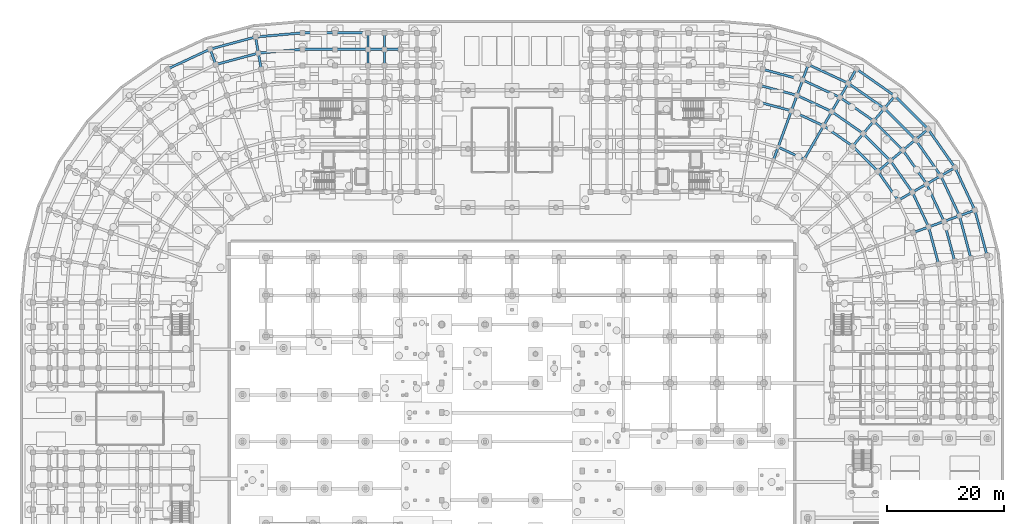
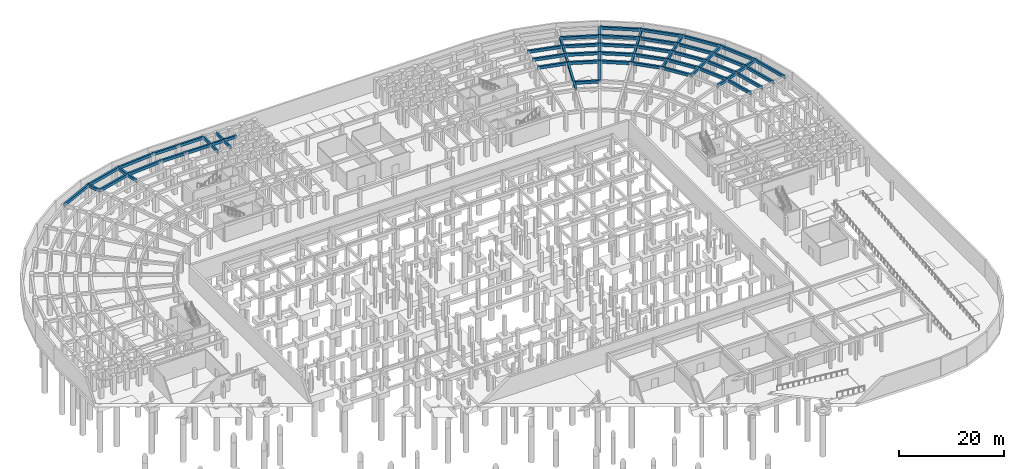
# One storey, part 28 of 53: 75 beams.
"""IFC4 building model written with IfcOpenShell, lengths in metres."""

import ifcopenshell
import ifcopenshell.guid

model = None  # the IFC model being written
_history = None  # IfcOwnerHistory: only IFC2X3 demands one
_inside = {}  # id of a spatial element -> (the spatial element, [elements in it])
_under = {}  # id of a project, library or spatial element -> (it, [spatial elements below it])
_declared = {}  # id of a project -> (the project, [libraries it declares])
_typed = {}  # id of a type object -> (the type object, [elements of that type])
_made_of = {}  # id of a material, layer set ... -> (it, [elements and type objects made of it])


def new_model(schema):
    """Start an empty IFC model of exactly this schema.

    Asked for "IFC4X3", IfcOpenShell would pick the latest addendum, in which some entities
    have other attributes; the version numbers below select the first issue.
    IFC2X3 requires an IfcOwnerHistory on every rooted entity: one is made here for all.
    """
    global model, _history
    if schema == "IFC4X3":
        model = ifcopenshell.file(schema_version=(4, 3, 0, 0))
    else:
        model = ifcopenshell.file(schema=schema)
    _inside.clear()
    _under.clear()
    _declared.clear()
    _typed.clear()
    _made_of.clear()
    _history = None
    if model.schema == "IFC2X3":
        org = make("IfcOrganization", Name="unknown")
        user = make(
            "IfcPersonAndOrganization",
            ThePerson=make("IfcPerson", FamilyName="unknown"),
            TheOrganization=org,
        )
        app = make(
            "IfcApplication",
            ApplicationDeveloper=org,
            Version="unknown",
            ApplicationFullName="unknown",
            ApplicationIdentifier="unknown",
        )
        _history = make(
            "IfcOwnerHistory",
            OwningUser=user,
            OwningApplication=app,
            ChangeAction="ADDED",
            CreationDate=0,
        )
    return model


def make(cls, **values):
    """One entity of the class cls with the attributes given. An attribute that is None is left unset."""
    return model.create_entity(
        cls, **{name: value for name, value in values.items() if value is not None}
    )


def rooted(cls, **values):
    """An entity with a GlobalId (a new one), such as an element, a storey or a relation."""
    return make(cls, GlobalId=ifcopenshell.guid.new(), OwnerHistory=_history, **values)


def si_unit(unit_type, name, prefix=None):
    """IfcSIUnit, for example si_unit("LENGTHUNIT", "METRE", prefix="MILLI")."""
    return make("IfcSIUnit", UnitType=unit_type, Prefix=prefix, Name=name)


def assignment(units):
    """IfcUnitAssignment: the units of a project."""
    return None if units is None else make("IfcUnitAssignment", Units=units)


def point(xyz):
    """IfcCartesianPoint."""
    return None if xyz is None else make("IfcCartesianPoint", Coordinates=xyz)


def direction(xyz):
    """IfcDirection."""
    return None if xyz is None else make("IfcDirection", DirectionRatios=xyz)


def frame(location, z_axis=None, x_axis=None):
    """IfcAxis2Placement3D, a coordinate frame: its origin and axes. An axis left out is left unset."""
    return make(
        "IfcAxis2Placement3D",
        Location=point(location),
        Axis=direction(z_axis),
        RefDirection=direction(x_axis),
    )


def frame_2d(location, x_axis=None):
    """IfcAxis2Placement2D, a coordinate frame in the plane: its origin and x axis."""
    return make(
        "IfcAxis2Placement2D", Location=point(location), RefDirection=direction(x_axis)
    )


def origin():
    """The frame at (0, 0, 0) with its axes left unset."""
    return frame((0.0, 0.0, 0.0))


def origin_2d():
    """The frame at (0, 0) in the plane with its x axis left unset."""
    return frame_2d((0.0, 0.0))


def place(relative_to, where):
    """IfcLocalPlacement: puts the frame where relative to a parent placement (None: the world)."""
    return make(
        "IfcLocalPlacement", PlacementRelTo=relative_to, RelativePlacement=where
    )


def context(
    kind, dimensions, precision=None, world=None, true_north=None, identifier=None
):
    """IfcGeometricRepresentationContext, for example the 3D "Model" context."""
    return make(
        "IfcGeometricRepresentationContext",
        ContextIdentifier=identifier,
        ContextType=kind,
        CoordinateSpaceDimension=dimensions,
        Precision=precision,
        WorldCoordinateSystem=world,
        TrueNorth=true_north,
    )


def subcontext(parent, identifier, kind, view, scale=None):
    """IfcGeometricRepresentationSubContext, for example "Body" below "Model"."""
    return make(
        "IfcGeometricRepresentationSubContext",
        ContextIdentifier=identifier,
        ContextType=kind,
        ParentContext=parent,
        TargetScale=scale,
        TargetView=view,
    )


def project(units=None, contexts=None):
    """IfcProject with its units and contexts."""
    return rooted(
        "IfcProject",
        Name="project",
        RepresentationContexts=contexts,
        UnitsInContext=assignment(units),
    )


def spatial(cls, under=None, at=None, **own):
    """A site, building, storey or space (cls), placed at a placement, below another one or the project."""
    s = rooted(cls, ObjectPlacement=at, **own)
    if under is not None:
        _under.setdefault(under.id(), (under, []))[1].append(s)
    return s


def profile(cls, at=None, kind="AREA", **sizes):
    """A parametric profile (cls). Its sizes go by their IFC names, for example OverallWidth=200.0."""
    return make(cls, ProfileType=kind, Position=at, **sizes)


def rectangle(**sizes):
    """IfcRectangleProfileDef."""
    return profile("IfcRectangleProfileDef", **sizes)


def extrude(swept, where, along, depth):
    """IfcExtrudedAreaSolid: the profile swept, set in the frame where, extruded along a direction by depth."""
    return make(
        "IfcExtrudedAreaSolid",
        SweptArea=swept,
        Position=where,
        ExtrudedDirection=direction(along),
        Depth=depth,
    )


def shape(context_of_items, identifier, shape_type, items):
    """IfcShapeRepresentation: the items that make up one representation, for example the "Body"."""
    return make(
        "IfcShapeRepresentation",
        ContextOfItems=context_of_items,
        RepresentationIdentifier=identifier,
        RepresentationType=shape_type,
        Items=items,
    )


def material(Name=None, Category=None):
    """IfcMaterial."""
    return make("IfcMaterial", Name=Name, Category=Category)


def material_profile(
    of_material, cross_section, Name=None, Category=None, Priority=None
):
    """IfcMaterialProfile: a cross section and its material."""
    return make(
        "IfcMaterialProfile",
        Name=Name,
        Material=of_material,
        Profile=cross_section,
        Priority=Priority,
        Category=Category,
    )


def profile_set(profiles, Name=None, composite=None):
    """IfcMaterialProfileSet."""
    return make(
        "IfcMaterialProfileSet",
        Name=Name,
        MaterialProfiles=profiles,
        CompositeProfile=composite,
    )


def made_of(thing, what):
    """Note that an element or type object is made of a material, layer set ...; save() writes the relation."""
    if what is not None:
        _made_of.setdefault(what.id(), (what, []))[1].append(thing)
    return thing


def type_object(cls, material=None, **own):
    """A type object (cls), such as IfcWallType, which elements share."""
    return made_of(rooted(cls, **own), material)


def element(
    cls,
    number,
    at=None,
    inside=None,
    cuts=None,
    type_object=None,
    material=None,
    context=None,
    identifier="Body",
    shape_type=None,
    held_by="IfcProductDefinitionShape",
    body=None,
    shapes=None,
    **own,
):
    """One element of the class cls, such as IfcWall. Its Tag is "e" and its number.

    at: its placement. inside: the storey or other place that contains it. cuts: it is an
    opening in that element (IfcRelVoidsElement). A single representation is given by context,
    identifier, shape_type and body (its items); several are given by shapes. held_by: the class
    of the entity that holds the representations. save() writes the other relations.
    """
    e = rooted(cls, Tag="e%d" % number, ObjectPlacement=at, **own)
    if body is not None:
        shapes = [shape(context, identifier, shape_type, body)]
    if shapes is not None:
        e.Representation = make(held_by, Representations=shapes)
    if inside is not None:
        _inside.setdefault(inside.id(), (inside, []))[1].append(e)
    if cuts is not None:
        rooted(
            "IfcRelVoidsElement", RelatingBuildingElement=cuts, RelatedOpeningElement=e
        )
    if type_object is not None:
        _typed.setdefault(type_object.id(), (type_object, []))[1].append(e)
    return made_of(e, material)


def aggregate(whole, parts):
    """IfcRelAggregates: a whole, such as a stair, and the parts it consists of."""
    return rooted("IfcRelAggregates", RelatingObject=whole, RelatedObjects=parts)


def save(model, path):
    """Write the relations noted so far, then the file.

    IfcRelAggregates (storeys below a building ...), IfcRelContainedInSpatialStructure (elements
    in a storey), IfcRelDefinesByType, IfcRelAssociatesMaterial and IfcRelDeclares: one each for
    every whole, place, type object, material and project.
    """
    for whole, parts in _under.values():
        aggregate(whole, parts)
    for where, things in _inside.values():
        rooted(
            "IfcRelContainedInSpatialStructure",
            RelatedElements=things,
            RelatingStructure=where,
        )
    for kind, things in _typed.values():
        rooted("IfcRelDefinesByType", RelatedObjects=things, RelatingType=kind)
    for what, things in _made_of.values():
        rooted("IfcRelAssociatesMaterial", RelatedObjects=things, RelatingMaterial=what)
    for by, libraries in _declared.values():
        rooted("IfcRelDeclares", RelatingContext=by, RelatedDefinitions=libraries)
    model.write(path)


model = new_model("IFC4")

# Units and contexts
model_context = context("Model", 3, precision=1e-05, world=origin(), true_north=direction((0.0, 1.0)))
body_context = subcontext(model_context, "Body", "Model", "MODEL_VIEW")
ifc_project = project(units=[si_unit("LENGTHUNIT", "METRE"), si_unit("AREAUNIT", "SQUARE_METRE"), si_unit("VOLUMEUNIT", "CUBIC_METRE"), si_unit("PLANEANGLEUNIT", "RADIAN"), si_unit("MASSUNIT", "GRAM", prefix="KILO")], contexts=[model_context])

# Site, building, storey
site_placement = place(None, origin())
site = spatial("IfcSite", under=ifc_project, at=site_placement, CompositionType="ELEMENT")
building_placement = place(site_placement, origin())
building = spatial("IfcBuilding", under=site, at=building_placement, Name="Kiranvali Square Residences", CompositionType="ELEMENT")
storey_placement = place(building_placement, frame((0.0, 0.0, -4.5)))
storey = spatial("IfcBuildingStorey", under=building, at=storey_placement, Name="B1", CompositionType="ELEMENT", Elevation=-4.5)

# Beams
ifc_material_1 = material(Name="Concrete M40 (40 MPa)", Category="concrete")
ifc_material_profile_1 = material_profile(ifc_material_1, rectangle(XDim=0.35009765625, YDim=0.64990234375, at=origin_2d()), Name="RC 350x650")
ifc_profile_set_1 = profile_set([ifc_material_profile_1], Name="Concrete M40 (40 MPa)")
beam_type_1 = type_object("IfcBeamType", Name="BM-M40-350x650", PredefinedType="BEAM", material=ifc_profile_set_1)
for number, where, z_axis, x_axis, name in (
    (1, (59.39990234375, 128.199951171875, 3.955078125), (0.0, 1.0, 0.0), (-1.0, 0.0, 0.0), "B1 beam BM-A-B1-A1T1-56"),
    (2, (59.39990234375, 131.0, 3.955078125), (0.0, 1.0, 0.0), (-1.0, 0.0, 0.0), "B1 beam BM-A-B1-A1T1-67"),
    (3, (62.199951171875, 128.199951171875, 3.955078125), (0.0, 1.0, 0.0), (-1.0, 0.0, 0.0), "B1 beam BM-A-B1-A1T2-56"),
    (4, (62.199951171875, 131.0, 3.955078125), (0.0, 1.0, 0.0), (-1.0, 0.0, 0.0), "B1 beam BM-A-B1-A1T2-67"),
):
    element("IfcBeam", number, at=place(storey_placement, frame(where, z_axis=z_axis, x_axis=x_axis)), inside=storey, type_object=beam_type_1, Name=name, PredefinedType="BEAM", context=body_context, shape_type="SweptSolid", body=[
        extrude(rectangle(XDim=0.35009765625, YDim=0.64990234375, at=origin_2d()), origin(), (0.0, 0.0, 1.0), 2.800048828125),
    ])
ifc_material_2 = material(Name="Concrete M45 (45 MPa)", Category="concrete")
ifc_material_profile_2 = material_profile(ifc_material_2, rectangle(XDim=0.39990234375, YDim=0.64990234375, at=origin_2d()), Name="RC 400x650")
ifc_profile_set_2 = profile_set([ifc_material_profile_2], Name="Concrete M45 (45 MPa)")
beam_type_2 = type_object("IfcBeamType", Name="BM-M45-400x650", PredefinedType="BEAM", material=ifc_profile_set_2)
beam_1_placement = place(storey_placement, frame((48.199951171875, 131.0, 3.955078125), z_axis=(-0.996195195417, -0.087150058103, 0.0), x_axis=(0.087150058103, -0.996195195417, 0.0)))
element("IfcBeam", 5, at=beam_1_placement, inside=storey, type_object=beam_type_2, Name="B1 beam BM-A-B1-C00-R6", PredefinedType="BEAM", context=body_context, shape_type="SweptSolid", body=[
    extrude(rectangle(XDim=0.39990234375, YDim=0.64990234375, at=origin_2d()), origin(), (0.0, 0.0, 1.0), 7.530029296875),
])
beam_2_placement = place(storey_placement, frame((48.199951171875, 133.800048828125, 3.955078125), z_axis=(-0.996193254792, -0.087172238171, 0.0), x_axis=(0.087172238171, -0.996193254792, 0.0)))
element("IfcBeam", 6, at=beam_2_placement, inside=storey, type_object=beam_type_2, Name="B1 beam BM-A-B1-C00-R7", PredefinedType="BEAM", context=body_context, shape_type="SweptSolid", body=[
    extrude(rectangle(XDim=0.39990234375, YDim=0.64990234375, at=origin_2d()), origin(), (0.0, 0.0, 1.0), 8.018310546875),
])
beam_3_placement = place(storey_placement, frame((40.698486328125, 130.34375, 3.955078125), z_axis=(-0.965925909693, -0.258818733833, 0.0), x_axis=(0.258818733833, -0.965925909693, 0.0)))
element("IfcBeam", 7, at=beam_3_placement, inside=storey, type_object=beam_type_2, Name="B1 beam BM-A-B1-C01-R6", PredefinedType="BEAM", context=body_context, shape_type="SweptSolid", body=[
    extrude(rectangle(XDim=0.39990234375, YDim=0.64990234375, at=origin_2d()), origin(), (0.0, 0.0, 1.0), 7.5302734375),
])
for number, where, z_axis, x_axis, name in (
    (8, (40.212158203125, 133.10107421875, 3.955078125), (-0.96592902462, -0.258807108475, 0.0), (0.258807108475, -0.96592902462, 0.0), "B1 beam BM-A-B1-C01-R7"),
    (9, (32.467041015625, 131.02587890625, 3.955078125), (-0.906309113636, -0.422615416827, 0.0), (0.422615416827, -0.906309113636, 0.0), "B1 beam BM-A-B1-C02-R7"),
):
    element("IfcBeam", number, at=place(storey_placement, frame(where, z_axis=z_axis, x_axis=x_axis)), inside=storey, type_object=beam_type_2, Name=name, PredefinedType="BEAM", context=body_context, shape_type="SweptSolid", body=[
        extrude(rectangle(XDim=0.39990234375, YDim=0.64990234375, at=origin_2d()), origin(), (0.0, 0.0, 1.0), 8.018310546875),
    ])
beam_4_placement = place(storey_placement, frame((41.1845703125, 127.586181640625, 3.955078125), z_axis=(-0.173596320392, 0.984816895441, 0.0), x_axis=(-0.984816895441, -0.173596320392, 0.0)))
element("IfcBeam", 10, at=beam_4_placement, inside=storey, type_object=beam_type_2, Name="B1 beam BM-A-B1-RAD01-56", PredefinedType="BEAM", context=body_context, shape_type="SweptSolid", body=[
    extrude(rectangle(XDim=0.39990234375, YDim=0.64990234375, at=origin_2d()), origin(), (0.0, 0.0, 1.0), 2.800048828125),
])
beam_5_placement = place(storey_placement, frame((40.698486328125, 130.34375, 3.955078125), z_axis=(-0.173695795656, 0.984799355489, 0.0), x_axis=(-0.984799355489, -0.173695795656, 0.0)))
element("IfcBeam", 11, at=beam_5_placement, inside=storey, type_object=beam_type_2, Name="B1 beam BM-A-B1-RAD01-67", PredefinedType="BEAM", context=body_context, shape_type="SweptSolid", body=[
    extrude(rectangle(XDim=0.39990234375, YDim=0.64990234375, at=origin_2d()), origin(), (0.0, 0.0, 1.0), 2.7998046875),
])
beam_6_placement = place(storey_placement, frame((33.4248046875, 128.394775390625, 3.955078125), z_axis=(-0.342058084236, 0.939678810556, 0.0), x_axis=(-0.939678810556, -0.342058084236, 0.0)))
element("IfcBeam", 12, at=beam_6_placement, inside=storey, type_object=beam_type_2, Name="B1 beam BM-A-B1-RAD02-67", PredefinedType="BEAM", context=body_context, shape_type="SweptSolid", body=[
    extrude(rectangle(XDim=0.39990234375, YDim=0.64990234375, at=origin_2d()), origin(), (0.0, 0.0, 1.0), 2.800048828125),
])
beam_7_placement = place(storey_placement, frame((48.199951171875, 131.0, 3.955078125), z_axis=(1.0, 0.0, 0.0), x_axis=(0.0, 1.0, 0.0)))
element("IfcBeam", 13, at=beam_7_placement, inside=storey, type_object=beam_type_2, Name="B1 beam BM-A-B1-A1U0-R6", PredefinedType="BEAM", context=body_context, shape_type="SweptSolid", body=[
    extrude(rectangle(XDim=0.39990234375, YDim=0.64990234375, at=origin_2d()), origin(), (0.0, 0.0, 1.0), 5.60009765625),
])
beam_8_placement = place(storey_placement, frame((53.800048828125, 131.0, 3.955078125), z_axis=(1.0, 0.0, 0.0), x_axis=(0.0, 1.0, 0.0)))
element("IfcBeam", 14, at=beam_8_placement, inside=storey, type_object=beam_type_2, Name="B1 beam BM-A-B1-A1U1-R6", PredefinedType="BEAM", context=body_context, shape_type="SweptSolid", body=[
    extrude(rectangle(XDim=0.39990234375, YDim=0.64990234375, at=origin_2d()), origin(), (0.0, 0.0, 1.0), 5.599853515625),
])
for number, where, z_axis, x_axis, name in (
    (15, (59.39990234375, 131.0, 3.955078125), (1.0, 0.0, 0.0), (0.0, 1.0, 0.0), "B1 beam BM-A-B1-A1U2-R6"),
    (16, (62.199951171875, 131.0, 3.955078125), (1.0, 0.0, 0.0), (0.0, 1.0, 0.0), "B1 beam BM-A-B1-A1U3-R6"),
):
    element("IfcBeam", number, at=place(storey_placement, frame(where, z_axis=z_axis, x_axis=x_axis)), inside=storey, type_object=beam_type_2, Name=name, PredefinedType="BEAM", context=body_context, shape_type="SweptSolid", body=[
        extrude(rectangle(XDim=0.39990234375, YDim=0.64990234375, at=origin_2d()), origin(), (0.0, 0.0, 1.0), 2.800048828125),
    ])
beam_9_placement = place(storey_placement, frame((48.199951171875, 133.800048828125, 3.955078125), z_axis=(1.0, 0.0, 0.0), x_axis=(0.0, 1.0, 0.0)))
element("IfcBeam", 17, at=beam_9_placement, inside=storey, type_object=beam_type_2, Name="B1 beam BM-A-B1-A1U0-R7", PredefinedType="BEAM", context=body_context, shape_type="SweptSolid", body=[
    extrude(rectangle(XDim=0.39990234375, YDim=0.64990234375, at=origin_2d()), origin(), (0.0, 0.0, 1.0), 5.60009765625),
])
beam_10_placement = place(storey_placement, frame((53.800048828125, 133.800048828125, 3.955078125), z_axis=(1.0, 0.0, 0.0), x_axis=(0.0, 1.0, 0.0)))
element("IfcBeam", 18, at=beam_10_placement, inside=storey, type_object=beam_type_2, Name="B1 beam BM-A-B1-A1U1-R7", PredefinedType="BEAM", context=body_context, shape_type="SweptSolid", body=[
    extrude(rectangle(XDim=0.39990234375, YDim=0.64990234375, at=origin_2d()), origin(), (0.0, 0.0, 1.0), 5.599853515625),
])
beam_11_placement = place(storey_placement, frame((125.843017578125, 122.0712890625, 3.955078125), z_axis=(0.965923618901, -0.258827283048, 0.0), x_axis=(0.258827283048, 0.965923618901, 0.0)))
element("IfcBeam", 19, at=beam_11_placement, inside=storey, type_object=beam_type_2, Name="B1 beam BM-B-B1-C01-R3", PredefinedType="BEAM", context=body_context, shape_type="SweptSolid", body=[
    extrude(rectangle(XDim=0.39990234375, YDim=0.64990234375, at=origin_2d()), origin(), (0.0, 0.0, 1.0), 6.066162109375),
])
beam_12_placement = place(storey_placement, frame((126.3291015625, 124.828857421875, 3.955078125), z_axis=(0.965918287583, -0.258847178297, 0.0), x_axis=(0.258847178297, 0.965918287583, 0.0)))
element("IfcBeam", 20, at=beam_12_placement, inside=storey, type_object=beam_type_2, Name="B1 beam BM-B-B1-C01-R4", PredefinedType="BEAM", context=body_context, shape_type="SweptSolid", body=[
    extrude(rectangle(XDim=0.39990234375, YDim=0.64990234375, at=origin_2d()), origin(), (0.0, 0.0, 1.0), 6.55419921875),
])
beam_13_placement = place(storey_placement, frame((126.8154296875, 127.586181640625, 3.955078125), z_axis=(0.965931029817, -0.258799624492, 0.0), x_axis=(0.258799624492, 0.965931029817, 0.0)))
element("IfcBeam", 21, at=beam_13_placement, inside=storey, type_object=beam_type_2, Name="B1 beam BM-B-B1-C01-R5", PredefinedType="BEAM", context=body_context, shape_type="SweptSolid", body=[
    extrude(rectangle(XDim=0.39990234375, YDim=0.64990234375, at=origin_2d()), origin(), (0.0, 0.0, 1.0), 7.042236328125),
])
beam_14_placement = place(storey_placement, frame((129.445068359375, 114.29931640625, 3.955078125), z_axis=(0.906302381024, -0.422629854778, 0.0), x_axis=(0.422629854778, 0.906302381024, 0.0)))
element("IfcBeam", 22, at=beam_14_placement, inside=storey, type_object=beam_type_2, Name="B1 beam BM-B-B1-C02-R2", PredefinedType="BEAM", context=body_context, shape_type="SweptSolid", body=[
    extrude(rectangle(XDim=0.39990234375, YDim=0.64990234375, at=origin_2d()), origin(), (0.0, 0.0, 1.0), 4.915283203125),
])
beam_15_placement = place(storey_placement, frame((131.702392578125, 120.501220703125, 3.955078125), z_axis=(0.906312656069, -0.42260781991, 0.0), x_axis=(0.42260781991, 0.906312656069, 0.0)))
element("IfcBeam", 23, at=beam_15_placement, inside=storey, type_object=beam_type_2, Name="B1 beam BM-B-B1-C02-R3", PredefinedType="BEAM", context=body_context, shape_type="SweptSolid", body=[
    extrude(rectangle(XDim=0.39990234375, YDim=0.64990234375, at=origin_2d()), origin(), (0.0, 0.0, 1.0), 6.06591796875),
])
beam_16_placement = place(storey_placement, frame((132.659912109375, 123.13232421875, 3.955078125), z_axis=(0.906318225223, -0.422595876255, 0.0), x_axis=(0.422595876255, 0.906318225223, 0.0)))
element("IfcBeam", 24, at=beam_16_placement, inside=storey, type_object=beam_type_2, Name="B1 beam BM-B-B1-C02-R4", PredefinedType="BEAM", context=body_context, shape_type="SweptSolid", body=[
    extrude(rectangle(XDim=0.39990234375, YDim=0.64990234375, at=origin_2d()), origin(), (0.0, 0.0, 1.0), 6.55419921875),
])
beam_17_placement = place(storey_placement, frame((133.61767578125, 125.763671875, 3.955078125), z_axis=(0.906297360311, -0.422640621205, 0.0), x_axis=(0.422640621205, 0.906297360311, 0.0)))
element("IfcBeam", 25, at=beam_17_placement, inside=storey, type_object=beam_type_2, Name="B1 beam BM-B-B1-C02-R5", PredefinedType="BEAM", context=body_context, shape_type="SweptSolid", body=[
    extrude(rectangle(XDim=0.39990234375, YDim=0.64990234375, at=origin_2d()), origin(), (0.0, 0.0, 1.0), 7.042236328125),
])
beam_18_placement = place(storey_placement, frame((134.5751953125, 128.394775390625, 3.955078125), z_axis=(0.90630982703, -0.422613886933, 0.0), x_axis=(0.422613886933, 0.90630982703, 0.0)))
element("IfcBeam", 26, at=beam_18_placement, inside=storey, type_object=beam_type_2, Name="B1 beam BM-B-B1-C02-R6", PredefinedType="BEAM", context=body_context, shape_type="SweptSolid", body=[
    extrude(rectangle(XDim=0.39990234375, YDim=0.64990234375, at=origin_2d()), origin(), (0.0, 0.0, 1.0), 7.5302734375),
])
beam_19_placement = place(storey_placement, frame((137.199951171875, 117.937744140625, 3.955078125), z_axis=(0.81913926159, -0.573594691504, 0.0), x_axis=(0.573594691504, 0.81913926159, 0.0)))
element("IfcBeam", 27, at=beam_19_placement, inside=storey, type_object=beam_type_2, Name="B1 beam BM-B-B1-C03-R3", PredefinedType="BEAM", context=body_context, shape_type="SweptSolid", body=[
    extrude(rectangle(XDim=0.39990234375, YDim=0.64990234375, at=origin_2d()), origin(), (0.0, 0.0, 1.0), 6.066162109375),
])
beam_20_placement = place(storey_placement, frame((138.60009765625, 120.362548828125, 3.955078125), z_axis=(0.819144409176, -0.573587340268, 0.0), x_axis=(0.573587340268, 0.819144409176, 0.0)))
element("IfcBeam", 28, at=beam_20_placement, inside=storey, type_object=beam_type_2, Name="B1 beam BM-B-B1-C03-R4", PredefinedType="BEAM", context=body_context, shape_type="SweptSolid", body=[
    extrude(rectangle(XDim=0.39990234375, YDim=0.64990234375, at=origin_2d()), origin(), (0.0, 0.0, 1.0), 6.553955078125),
])
beam_21_placement = place(storey_placement, frame((140.0, 122.787353515625, 3.955078125), z_axis=(0.819160249246, -0.57356471828, 0.0), x_axis=(0.57356471828, 0.819160249246, 0.0)))
element("IfcBeam", 29, at=beam_21_placement, inside=storey, type_object=beam_type_2, Name="B1 beam BM-B-B1-C03-R5", PredefinedType="BEAM", context=body_context, shape_type="SweptSolid", body=[
    extrude(rectangle(XDim=0.39990234375, YDim=0.64990234375, at=origin_2d()), origin(), (0.0, 0.0, 1.0), 7.0419921875),
])
beam_22_placement = place(storey_placement, frame((141.39990234375, 125.21240234375, 3.955078125), z_axis=(0.819143569597, -0.573588539275, 0.0), x_axis=(0.573588539275, 0.819143569597, 0.0)))
element("IfcBeam", 30, at=beam_22_placement, inside=storey, type_object=beam_type_2, Name="B1 beam BM-B-B1-C03-R6", PredefinedType="BEAM", context=body_context, shape_type="SweptSolid", body=[
    extrude(rectangle(XDim=0.39990234375, YDim=0.64990234375, at=origin_2d()), origin(), (0.0, 0.0, 1.0), 7.5302734375),
])
beam_23_placement = place(storey_placement, frame((142.800048828125, 127.63720703125, 3.955078125), z_axis=(0.819147515001, -0.573582904791, 0.0), x_axis=(0.573582904791, 0.819147515001, 0.0)))
element("IfcBeam", 31, at=beam_23_placement, inside=storey, type_object=beam_type_2, Name="B1 beam BM-B-B1-C03-R7", PredefinedType="BEAM", context=body_context, shape_type="SweptSolid", body=[
    extrude(rectangle(XDim=0.39990234375, YDim=0.64990234375, at=origin_2d()), origin(), (0.0, 0.0, 1.0), 8.018310546875),
])
beam_24_placement = place(storey_placement, frame((142.1689453125, 114.458251953125, 3.955078125), z_axis=(0.707106781187, -0.707106781187, 0.0), x_axis=(0.707106781187, 0.707106781187, 0.0)))
element("IfcBeam", 32, at=beam_24_placement, inside=storey, type_object=beam_type_2, Name="B1 beam BM-B-B1-C04-R3", PredefinedType="BEAM", context=body_context, shape_type="SweptSolid", body=[
    extrude(rectangle(XDim=0.39990234375, YDim=0.64990234375, at=origin_2d()), origin(), (0.0, 0.0, 1.0), 6.06591796875),
])
beam_25_placement = place(storey_placement, frame((143.96875, 116.603271484375, 3.955078125), z_axis=(0.707106781187, -0.707106781187, 0.0), x_axis=(0.707106781187, 0.707106781187, 0.0)))
element("IfcBeam", 33, at=beam_25_placement, inside=storey, type_object=beam_type_2, Name="B1 beam BM-B-B1-C04-R4", PredefinedType="BEAM", context=body_context, shape_type="SweptSolid", body=[
    extrude(rectangle(XDim=0.39990234375, YDim=0.64990234375, at=origin_2d()), origin(), (0.0, 0.0, 1.0), 6.55419921875),
])
beam_26_placement = place(storey_placement, frame((145.7685546875, 118.748291015625, 3.955078125), z_axis=(0.707106781187, -0.707106781187, 0.0), x_axis=(0.707106781187, 0.707106781187, 0.0)))
element("IfcBeam", 34, at=beam_26_placement, inside=storey, type_object=beam_type_2, Name="B1 beam BM-B-B1-C04-R5", PredefinedType="BEAM", context=body_context, shape_type="SweptSolid", body=[
    extrude(rectangle(XDim=0.39990234375, YDim=0.64990234375, at=origin_2d()), origin(), (0.0, 0.0, 1.0), 7.04248046875),
])
beam_27_placement = place(storey_placement, frame((147.568359375, 120.89306640625, 3.955078125), z_axis=(0.707106781187, -0.707106781187, 0.0), x_axis=(0.707106781187, 0.707106781187, 0.0)))
element("IfcBeam", 35, at=beam_27_placement, inside=storey, type_object=beam_type_2, Name="B1 beam BM-B-B1-C04-R6", PredefinedType="BEAM", context=body_context, shape_type="SweptSolid", body=[
    extrude(rectangle(XDim=0.39990234375, YDim=0.64990234375, at=origin_2d()), origin(), (0.0, 0.0, 1.0), 7.5302734375),
])
beam_28_placement = place(storey_placement, frame((149.3681640625, 123.0380859375, 3.955078125), z_axis=(0.707106781187, -0.707106781187, 0.0), x_axis=(0.707106781187, 0.707106781187, 0.0)))
element("IfcBeam", 36, at=beam_28_placement, inside=storey, type_object=beam_type_2, Name="B1 beam BM-B-B1-C04-R7", PredefinedType="BEAM", context=body_context, shape_type="SweptSolid", body=[
    extrude(rectangle(XDim=0.39990234375, YDim=0.64990234375, at=origin_2d()), origin(), (0.0, 0.0, 1.0), 8.0185546875),
])
beam_29_placement = place(storey_placement, frame((146.458251953125, 110.1689453125, 3.955078125), z_axis=(0.573594691504, -0.81913926159, 0.0), x_axis=(0.81913926159, 0.573594691504, 0.0)))
element("IfcBeam", 37, at=beam_29_placement, inside=storey, type_object=beam_type_2, Name="B1 beam BM-B-B1-C05-R3", PredefinedType="BEAM", context=body_context, shape_type="SweptSolid", body=[
    extrude(rectangle(XDim=0.39990234375, YDim=0.64990234375, at=origin_2d()), origin(), (0.0, 0.0, 1.0), 6.066162109375),
])
beam_30_placement = place(storey_placement, frame((148.603271484375, 111.96875, 3.955078125), z_axis=(0.573587340268, -0.819144409176, 0.0), x_axis=(0.819144409176, 0.573587340268, 0.0)))
element("IfcBeam", 38, at=beam_30_placement, inside=storey, type_object=beam_type_2, Name="B1 beam BM-B-B1-C05-R4", PredefinedType="BEAM", context=body_context, shape_type="SweptSolid", body=[
    extrude(rectangle(XDim=0.39990234375, YDim=0.64990234375, at=origin_2d()), origin(), (0.0, 0.0, 1.0), 6.553955078125),
])
beam_31_placement = place(storey_placement, frame((150.748291015625, 113.7685546875, 3.955078125), z_axis=(0.57356471828, -0.819160249246, 0.0), x_axis=(0.819160249246, 0.57356471828, 0.0)))
element("IfcBeam", 39, at=beam_31_placement, inside=storey, type_object=beam_type_2, Name="B1 beam BM-B-B1-C05-R5", PredefinedType="BEAM", context=body_context, shape_type="SweptSolid", body=[
    extrude(rectangle(XDim=0.39990234375, YDim=0.64990234375, at=origin_2d()), origin(), (0.0, 0.0, 1.0), 7.0419921875),
])
beam_32_placement = place(storey_placement, frame((152.89306640625, 115.568359375, 3.955078125), z_axis=(0.573588539275, -0.819143569597, 0.0), x_axis=(0.819143569597, 0.573588539275, 0.0)))
element("IfcBeam", 40, at=beam_32_placement, inside=storey, type_object=beam_type_2, Name="B1 beam BM-B-B1-C05-R6", PredefinedType="BEAM", context=body_context, shape_type="SweptSolid", body=[
    extrude(rectangle(XDim=0.39990234375, YDim=0.64990234375, at=origin_2d()), origin(), (0.0, 0.0, 1.0), 7.5302734375),
])
beam_33_placement = place(storey_placement, frame((155.0380859375, 117.3681640625, 3.955078125), z_axis=(0.573582904791, -0.819147515001, 0.0), x_axis=(0.819147515001, 0.573582904791, 0.0)))
element("IfcBeam", 41, at=beam_33_placement, inside=storey, type_object=beam_type_2, Name="B1 beam BM-B-B1-C05-R7", PredefinedType="BEAM", context=body_context, shape_type="SweptSolid", body=[
    extrude(rectangle(XDim=0.39990234375, YDim=0.64990234375, at=origin_2d()), origin(), (0.0, 0.0, 1.0), 8.018310546875),
])
beam_34_placement = place(storey_placement, frame((152.362548828125, 106.60009765625, 3.955078125), z_axis=(0.422595876255, -0.906318225223, 0.0), x_axis=(0.906318225223, 0.422595876255, 0.0)))
element("IfcBeam", 42, at=beam_34_placement, inside=storey, type_object=beam_type_2, Name="B1 beam BM-B-B1-C06-R4", PredefinedType="BEAM", context=body_context, shape_type="SweptSolid", body=[
    extrude(rectangle(XDim=0.39990234375, YDim=0.64990234375, at=origin_2d()), origin(), (0.0, 0.0, 1.0), 6.55419921875),
])
beam_35_placement = place(storey_placement, frame((154.787353515625, 108.0, 3.955078125), z_axis=(0.422640621205, -0.906297360311, 0.0), x_axis=(0.906297360311, 0.422640621205, 0.0)))
element("IfcBeam", 43, at=beam_35_placement, inside=storey, type_object=beam_type_2, Name="B1 beam BM-B-B1-C06-R5", PredefinedType="BEAM", context=body_context, shape_type="SweptSolid", body=[
    extrude(rectangle(XDim=0.39990234375, YDim=0.64990234375, at=origin_2d()), origin(), (0.0, 0.0, 1.0), 7.042236328125),
])
beam_36_placement = place(storey_placement, frame((157.21240234375, 109.39990234375, 3.955078125), z_axis=(0.422613886933, -0.90630982703, 0.0), x_axis=(0.90630982703, 0.422613886933, 0.0)))
element("IfcBeam", 44, at=beam_36_placement, inside=storey, type_object=beam_type_2, Name="B1 beam BM-B-B1-C06-R6", PredefinedType="BEAM", context=body_context, shape_type="SweptSolid", body=[
    extrude(rectangle(XDim=0.39990234375, YDim=0.64990234375, at=origin_2d()), origin(), (0.0, 0.0, 1.0), 7.5302734375),
])
beam_37_placement = place(storey_placement, frame((159.63720703125, 110.800048828125, 3.955078125), z_axis=(0.422615416827, -0.906309113636, 0.0), x_axis=(0.906309113636, 0.422615416827, 0.0)))
element("IfcBeam", 45, at=beam_37_placement, inside=storey, type_object=beam_type_2, Name="B1 beam BM-B-B1-C06-R7", PredefinedType="BEAM", context=body_context, shape_type="SweptSolid", body=[
    extrude(rectangle(XDim=0.39990234375, YDim=0.64990234375, at=origin_2d()), origin(), (0.0, 0.0, 1.0), 8.018310546875),
])
beam_38_placement = place(storey_placement, frame((155.13232421875, 100.659912109375, 3.955078125), z_axis=(0.258847178297, -0.965918287583, 0.0), x_axis=(0.965918287583, 0.258847178297, 0.0)))
element("IfcBeam", 46, at=beam_38_placement, inside=storey, type_object=beam_type_2, Name="B1 beam BM-B-B1-C07-R4", PredefinedType="BEAM", context=body_context, shape_type="SweptSolid", body=[
    extrude(rectangle(XDim=0.39990234375, YDim=0.64990234375, at=origin_2d()), origin(), (0.0, 0.0, 1.0), 6.55419921875),
])
beam_39_placement = place(storey_placement, frame((157.763671875, 101.61767578125, 3.955078125), z_axis=(0.258799624492, -0.965931029817, 0.0), x_axis=(0.965931029817, 0.258799624492, 0.0)))
element("IfcBeam", 47, at=beam_39_placement, inside=storey, type_object=beam_type_2, Name="B1 beam BM-B-B1-C07-R5", PredefinedType="BEAM", context=body_context, shape_type="SweptSolid", body=[
    extrude(rectangle(XDim=0.39990234375, YDim=0.64990234375, at=origin_2d()), origin(), (0.0, 0.0, 1.0), 7.042236328125),
])
beam_40_placement = place(storey_placement, frame((160.394775390625, 102.5751953125, 3.955078125), z_axis=(0.258818733833, -0.965925909693, 0.0), x_axis=(0.965925909693, 0.258818733833, 0.0)))
element("IfcBeam", 48, at=beam_40_placement, inside=storey, type_object=beam_type_2, Name="B1 beam BM-B-B1-C07-R6", PredefinedType="BEAM", context=body_context, shape_type="SweptSolid", body=[
    extrude(rectangle(XDim=0.39990234375, YDim=0.64990234375, at=origin_2d()), origin(), (0.0, 0.0, 1.0), 7.5302734375),
])
beam_41_placement = place(storey_placement, frame((163.02587890625, 103.532958984375, 3.955078125), z_axis=(0.258807108475, -0.96592902462, 0.0), x_axis=(0.96592902462, 0.258807108475, 0.0)))
element("IfcBeam", 49, at=beam_41_placement, inside=storey, type_object=beam_type_2, Name="B1 beam BM-B-B1-C07-R7", PredefinedType="BEAM", context=body_context, shape_type="SweptSolid", body=[
    extrude(rectangle(XDim=0.39990234375, YDim=0.64990234375, at=origin_2d()), origin(), (0.0, 0.0, 1.0), 8.018310546875),
])
beam_42_placement = place(storey_placement, frame((128.6240234375, 112.044189453125, 3.955078125), z_axis=(0.342110593602, 0.939659694648, 0.0), x_axis=(-0.939659694648, 0.342110593602, 0.0)))
element("IfcBeam", 50, at=beam_42_placement, inside=storey, type_object=beam_type_2, Name="B1 beam BM-B-B1-RAD02-12", PredefinedType="BEAM", context=body_context, shape_type="SweptSolid", body=[
    extrude(rectangle(XDim=0.39990234375, YDim=0.64990234375, at=origin_2d()), origin(), (0.0, 0.0, 1.0), 2.39990234375),
])
beam_43_placement = place(storey_placement, frame((129.445068359375, 114.29931640625, 3.955078125), z_axis=(0.342022238372, 0.939691858249, 0.0), x_axis=(-0.939691858249, 0.342022238372, 0.0)))
element("IfcBeam", 51, at=beam_43_placement, inside=storey, type_object=beam_type_2, Name="B1 beam BM-B-B1-RAD02-23", PredefinedType="BEAM", context=body_context, shape_type="SweptSolid", body=[
    extrude(rectangle(XDim=0.39990234375, YDim=0.64990234375, at=origin_2d()), origin(), (0.0, 0.0, 1.0), 6.599853515625),
])
beam_44_placement = place(storey_placement, frame((131.702392578125, 120.501220703125, 3.955078125), z_axis=(0.341981089711, 0.93970683422, 0.0), x_axis=(-0.93970683422, 0.341981089711, 0.0)))
element("IfcBeam", 52, at=beam_44_placement, inside=storey, type_object=beam_type_2, Name="B1 beam BM-B-B1-RAD02-34", PredefinedType="BEAM", context=body_context, shape_type="SweptSolid", body=[
    extrude(rectangle(XDim=0.39990234375, YDim=0.64990234375, at=origin_2d()), origin(), (0.0, 0.0, 1.0), 2.7998046875),
])
beam_45_placement = place(storey_placement, frame((132.659912109375, 123.13232421875, 3.955078125), z_axis=(0.342030060398, 0.939689011208, 0.0), x_axis=(-0.939689011208, 0.342030060398, 0.0)))
element("IfcBeam", 53, at=beam_45_placement, inside=storey, type_object=beam_type_2, Name="B1 beam BM-B-B1-RAD02-45", PredefinedType="BEAM", context=body_context, shape_type="SweptSolid", body=[
    extrude(rectangle(XDim=0.39990234375, YDim=0.64990234375, at=origin_2d()), origin(), (0.0, 0.0, 1.0), 2.80029296875),
])
beam_46_placement = place(storey_placement, frame((133.61767578125, 125.763671875, 3.955078125), z_axis=(0.341981089711, 0.93970683422, 0.0), x_axis=(-0.93970683422, 0.341981089711, 0.0)))
element("IfcBeam", 54, at=beam_46_placement, inside=storey, type_object=beam_type_2, Name="B1 beam BM-B-B1-RAD02-56", PredefinedType="BEAM", context=body_context, shape_type="SweptSolid", body=[
    extrude(rectangle(XDim=0.39990234375, YDim=0.64990234375, at=origin_2d()), origin(), (0.0, 0.0, 1.0), 2.7998046875),
])
beam_47_placement = place(storey_placement, frame((133.89990234375, 112.221923828125, 3.955078125), z_axis=(0.500002094529, 0.866024194504, 0.0), x_axis=(-0.866024194504, 0.500002094529, 0.0)))
element("IfcBeam", 55, at=beam_47_placement, inside=storey, type_object=beam_type_2, Name="B1 beam BM-B-B1-RAD03-23", PredefinedType="BEAM", context=body_context, shape_type="SweptSolid", body=[
    extrude(rectangle(XDim=0.39990234375, YDim=0.64990234375, at=origin_2d()), origin(), (0.0, 0.0, 1.0), 6.60009765625),
])
beam_48_placement = place(storey_placement, frame((137.199951171875, 117.937744140625, 3.955078125), z_axis=(0.500049511043, 0.865996816683, 0.0), x_axis=(-0.865996816683, 0.500049511043, 0.0)))
element("IfcBeam", 56, at=beam_48_placement, inside=storey, type_object=beam_type_2, Name="B1 beam BM-B-B1-RAD03-34", PredefinedType="BEAM", context=body_context, shape_type="SweptSolid", body=[
    extrude(rectangle(XDim=0.39990234375, YDim=0.64990234375, at=origin_2d()), origin(), (0.0, 0.0, 1.0), 2.800048828125),
])
beam_49_placement = place(storey_placement, frame((138.60009765625, 120.362548828125, 3.955078125), z_axis=(0.49998411664, 0.866034573852, 0.0), x_axis=(-0.866034573852, 0.49998411664, 0.0)))
element("IfcBeam", 57, at=beam_49_placement, inside=storey, type_object=beam_type_2, Name="B1 beam BM-B-B1-RAD03-45", PredefinedType="BEAM", context=body_context, shape_type="SweptSolid", body=[
    extrude(rectangle(XDim=0.39990234375, YDim=0.64990234375, at=origin_2d()), origin(), (0.0, 0.0, 1.0), 2.7998046875),
])
for number, where, z_axis, x_axis, name in (
    (58, (140.0, 122.787353515625, 3.955078125), (0.49994636267, 0.866056369097, 0.0), (-0.866056369097, 0.49994636267, 0.0), "B1 beam BM-B-B1-RAD03-56"),
    (59, (141.39990234375, 125.21240234375, 3.955078125), (0.500049511043, 0.865996816683, 0.0), (-0.865996816683, 0.500049511043, 0.0), "B1 beam BM-B-B1-RAD03-67"),
    (60, (142.1689453125, 114.458251953125, 3.955078125), (0.642770757628, 0.766058583359, 0.0), (-0.766058583359, 0.642770757628, 0.0), "B1 beam BM-B-B1-RAD04-34"),
    (61, (143.96875, 116.603271484375, 3.955078125), (0.642770757628, 0.766058583359, 0.0), (-0.766058583359, 0.642770757628, 0.0), "B1 beam BM-B-B1-RAD04-45"),
):
    element("IfcBeam", number, at=place(storey_placement, frame(where, z_axis=z_axis, x_axis=x_axis)), inside=storey, type_object=beam_type_2, Name=name, PredefinedType="BEAM", context=body_context, shape_type="SweptSolid", body=[
        extrude(rectangle(XDim=0.39990234375, YDim=0.64990234375, at=origin_2d()), origin(), (0.0, 0.0, 1.0), 2.800048828125),
    ])
beam_50_placement = place(storey_placement, frame((145.7685546875, 118.748291015625, 3.955078125), z_axis=(0.642813692253, 0.76602255649, 0.0), x_axis=(-0.76602255649, 0.642813692253, 0.0)))
element("IfcBeam", 62, at=beam_50_placement, inside=storey, type_object=beam_type_2, Name="B1 beam BM-B-B1-RAD04-56", PredefinedType="BEAM", context=body_context, shape_type="SweptSolid", body=[
    extrude(rectangle(XDim=0.39990234375, YDim=0.64990234375, at=origin_2d()), origin(), (0.0, 0.0, 1.0), 2.7998046875),
])
for number, where, z_axis, x_axis, name in (
    (63, (147.568359375, 120.89306640625, 3.955078125), (0.642770757628, 0.766058583359, 0.0), (-0.766058583359, 0.642770757628, 0.0), "B1 beam BM-B-B1-RAD04-67"),
    (64, (146.458251953125, 110.1689453125, 3.955078125), (0.766058583359, 0.642770757628, 0.0), (-0.642770757628, 0.766058583359, 0.0), "B1 beam BM-B-B1-RAD05-34"),
    (65, (148.603271484375, 111.96875, 3.955078125), (0.766058583359, 0.642770757628, 0.0), (-0.642770757628, 0.766058583359, 0.0), "B1 beam BM-B-B1-RAD05-45"),
):
    element("IfcBeam", number, at=place(storey_placement, frame(where, z_axis=z_axis, x_axis=x_axis)), inside=storey, type_object=beam_type_2, Name=name, PredefinedType="BEAM", context=body_context, shape_type="SweptSolid", body=[
        extrude(rectangle(XDim=0.39990234375, YDim=0.64990234375, at=origin_2d()), origin(), (0.0, 0.0, 1.0), 2.800048828125),
    ])
beam_51_placement = place(storey_placement, frame((150.748291015625, 113.7685546875, 3.955078125), z_axis=(0.76602255649, 0.642813692253, 0.0), x_axis=(-0.642813692253, 0.76602255649, 0.0)))
element("IfcBeam", 66, at=beam_51_placement, inside=storey, type_object=beam_type_2, Name="B1 beam BM-B-B1-RAD05-56", PredefinedType="BEAM", context=body_context, shape_type="SweptSolid", body=[
    extrude(rectangle(XDim=0.39990234375, YDim=0.64990234375, at=origin_2d()), origin(), (0.0, 0.0, 1.0), 2.7998046875),
])
for number, where, z_axis, x_axis, name in (
    (67, (152.89306640625, 115.568359375, 3.955078125), (0.766058583359, 0.642770757628, 0.0), (-0.642770757628, 0.766058583359, 0.0), "B1 beam BM-B-B1-RAD05-67"),
    (68, (149.937744140625, 105.199951171875, 3.955078125), (0.865996816683, 0.500049511043, 0.0), (-0.500049511043, 0.865996816683, 0.0), "B1 beam BM-B-B1-RAD06-34"),
):
    element("IfcBeam", number, at=place(storey_placement, frame(where, z_axis=z_axis, x_axis=x_axis)), inside=storey, type_object=beam_type_2, Name=name, PredefinedType="BEAM", context=body_context, shape_type="SweptSolid", body=[
        extrude(rectangle(XDim=0.39990234375, YDim=0.64990234375, at=origin_2d()), origin(), (0.0, 0.0, 1.0), 2.800048828125),
    ])
beam_52_placement = place(storey_placement, frame((152.362548828125, 106.60009765625, 3.955078125), z_axis=(0.866034573852, 0.49998411664, 0.0), x_axis=(-0.49998411664, 0.866034573852, 0.0)))
element("IfcBeam", 69, at=beam_52_placement, inside=storey, type_object=beam_type_2, Name="B1 beam BM-B-B1-RAD06-45", PredefinedType="BEAM", context=body_context, shape_type="SweptSolid", body=[
    extrude(rectangle(XDim=0.39990234375, YDim=0.64990234375, at=origin_2d()), origin(), (0.0, 0.0, 1.0), 2.7998046875),
])
for number, where, z_axis, x_axis, name in (
    (70, (154.787353515625, 108.0, 3.955078125), (0.866056369097, 0.49994636267, 0.0), (-0.49994636267, 0.866056369097, 0.0), "B1 beam BM-B-B1-RAD06-56"),
    (71, (157.21240234375, 109.39990234375, 3.955078125), (0.865996816683, 0.500049511043, 0.0), (-0.500049511043, 0.865996816683, 0.0), "B1 beam BM-B-B1-RAD06-67"),
):
    element("IfcBeam", number, at=place(storey_placement, frame(where, z_axis=z_axis, x_axis=x_axis)), inside=storey, type_object=beam_type_2, Name=name, PredefinedType="BEAM", context=body_context, shape_type="SweptSolid", body=[
        extrude(rectangle(XDim=0.39990234375, YDim=0.64990234375, at=origin_2d()), origin(), (0.0, 0.0, 1.0), 2.800048828125),
    ])
beam_53_placement = place(storey_placement, frame((152.501220703125, 99.702392578125, 3.955078125), z_axis=(0.93970683422, 0.341981089711, 0.0), x_axis=(-0.341981089711, 0.93970683422, 0.0)))
element("IfcBeam", 72, at=beam_53_placement, inside=storey, type_object=beam_type_2, Name="B1 beam BM-B-B1-RAD07-34", PredefinedType="BEAM", context=body_context, shape_type="SweptSolid", body=[
    extrude(rectangle(XDim=0.39990234375, YDim=0.64990234375, at=origin_2d()), origin(), (0.0, 0.0, 1.0), 2.7998046875),
])
beam_54_placement = place(storey_placement, frame((155.13232421875, 100.659912109375, 3.955078125), z_axis=(0.939689011208, 0.342030060398, 0.0), x_axis=(-0.342030060398, 0.939689011208, 0.0)))
element("IfcBeam", 73, at=beam_54_placement, inside=storey, type_object=beam_type_2, Name="B1 beam BM-B-B1-RAD07-45", PredefinedType="BEAM", context=body_context, shape_type="SweptSolid", body=[
    extrude(rectangle(XDim=0.39990234375, YDim=0.64990234375, at=origin_2d()), origin(), (0.0, 0.0, 1.0), 2.80029296875),
])
beam_55_placement = place(storey_placement, frame((157.763671875, 101.61767578125, 3.955078125), z_axis=(0.93970683422, 0.341981089711, 0.0), x_axis=(-0.341981089711, 0.93970683422, 0.0)))
element("IfcBeam", 74, at=beam_55_placement, inside=storey, type_object=beam_type_2, Name="B1 beam BM-B-B1-RAD07-56", PredefinedType="BEAM", context=body_context, shape_type="SweptSolid", body=[
    extrude(rectangle(XDim=0.39990234375, YDim=0.64990234375, at=origin_2d()), origin(), (0.0, 0.0, 1.0), 2.7998046875),
])
beam_56_placement = place(storey_placement, frame((160.394775390625, 102.5751953125, 3.955078125), z_axis=(0.939678810556, 0.342058084236, 0.0), x_axis=(-0.342058084236, 0.939678810556, 0.0)))
element("IfcBeam", 75, at=beam_56_placement, inside=storey, type_object=beam_type_2, Name="B1 beam BM-B-B1-RAD07-67", PredefinedType="BEAM", context=body_context, shape_type="SweptSolid", body=[
    extrude(rectangle(XDim=0.39990234375, YDim=0.64990234375, at=origin_2d()), origin(), (0.0, 0.0, 1.0), 2.800048828125),
])

save(model, "model.ifc")
